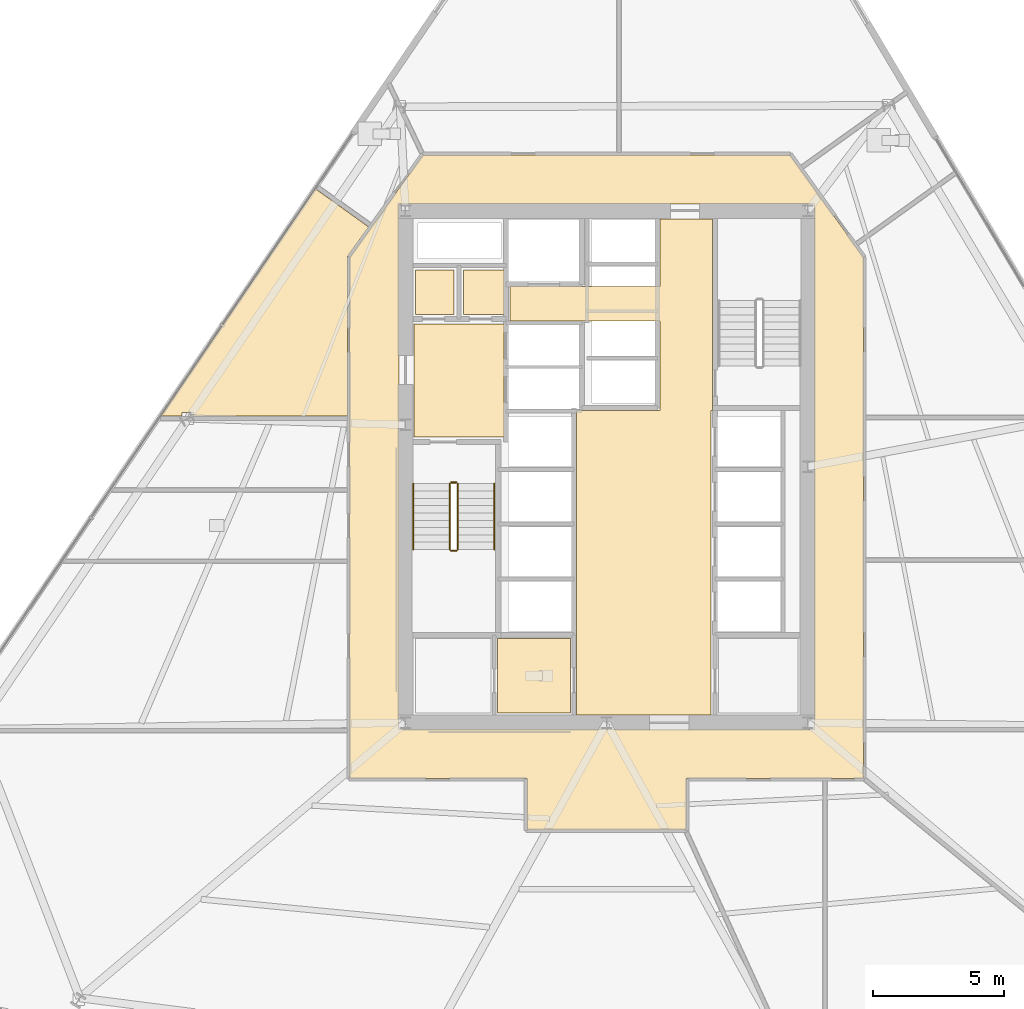
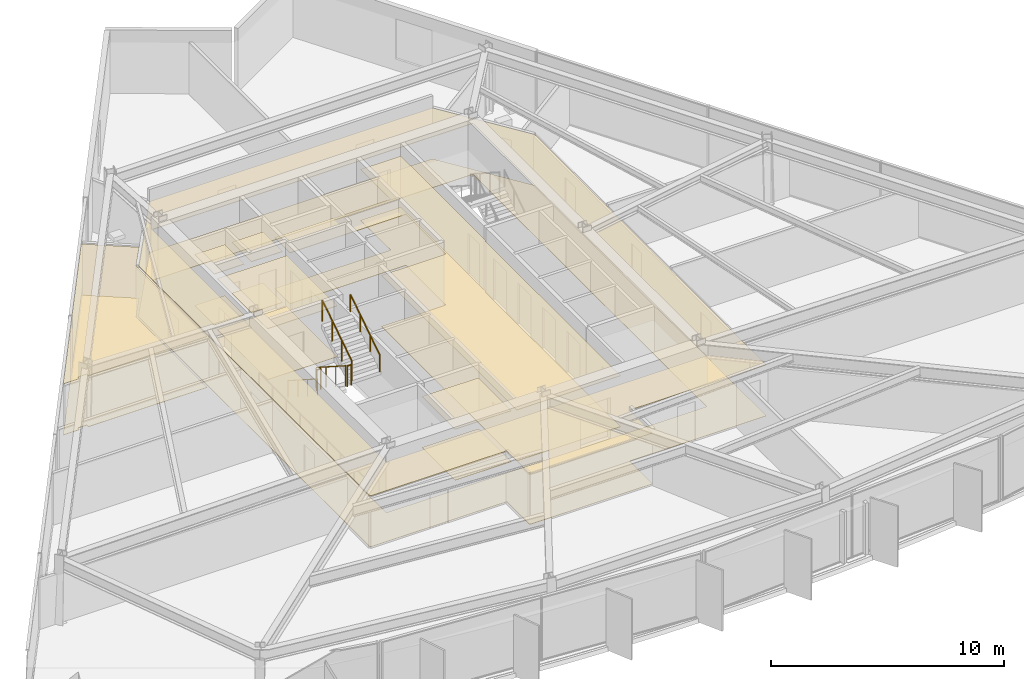
# One storey, part 13 of 16: 14 coverings, 6 railings.
"""IFC4 building model written with IfcOpenShell, lengths in metres."""

from ifc_helpers import new_model, si_unit, direction, frame, origin, origin_2d, place, context, subcontext, project, spatial, polyline, circle, outline, extrude, material, layer, layer_set, type_object, element, save


model = new_model("IFC4")

# Units and contexts
model_context = context("Model", 3, precision=1e-05, world=origin(), true_north=direction((0.0, 1.0)))
body_context = subcontext(model_context, "Body", "Model", "MODEL_VIEW")
ifc_project = project(units=[si_unit("LENGTHUNIT", "METRE"), si_unit("AREAUNIT", "SQUARE_METRE"), si_unit("VOLUMEUNIT", "CUBIC_METRE"), si_unit("PLANEANGLEUNIT", "RADIAN"), si_unit("MASSUNIT", "GRAM", prefix="KILO")], contexts=[model_context])

# Site, building, storey
site_placement = place(None, origin())
site = spatial("IfcSite", under=ifc_project, at=site_placement, CompositionType="ELEMENT")
building_placement = place(site_placement, origin())
building = spatial("IfcBuilding", under=site, at=building_placement, Name="Savorim Split Tower", CompositionType="ELEMENT")
storey_placement = place(building_placement, frame((0.0, 0.0, 33.60009765625)))
storey = spatial("IfcBuildingStorey", under=building, at=storey_placement, Name="L08", CompositionType="ELEMENT", Elevation=33.60009765625)

# Coverings
ifc_material_1 = material(Name="Mineral Fibre Acoustic Ceiling")
ifc_layer_1 = layer(ifc_material_1, 0.02490234375)
ifc_layer_set_1 = layer_set([ifc_layer_1], Name="COV-CEIL-25")
covering_type_1 = type_object("IfcCoveringType", Name="COV-CEIL-25", PredefinedType="CEILING", material=ifc_layer_set_1)
covering_1_placement = place(storey_placement, frame((0.0, 0.0, 2.669921875)))
element("IfcCovering", 1, at=covering_1_placement, inside=storey, type_object=covering_type_1, Name="L08 Firefighting Lift Lobby Acoustic Ceiling", PredefinedType="CEILING", context=body_context, shape_type="SweptSolid", body=[
    extrude(outline(polyline([(-7.3798828125, 5.8701171875), (-7.3798828125, 1.530029296875), (-3.929931640625, 1.530029296875), (-3.929931640625, 5.8701171875), (-7.3798828125, 5.8701171875)])), origin(), (0.0, 0.0, 1.0), 0.02490234375),
])
covering_2_placement = place(storey_placement, frame((0.0, 0.0, 2.669921875)))
element("IfcCovering", 2, at=covering_2_placement, inside=storey, type_object=covering_type_1, Name="L08 Electrical Riser Acoustic Ceiling", PredefinedType="CEILING", context=body_context, shape_type="SweptSolid", body=[
    extrude(outline(polyline([(-7.320068359375, 7.919921875), (-7.320068359375, 6.22998046875), (-5.830078125, 6.22998046875), (-5.830078125, 7.919921875), (-7.320068359375, 7.919921875)])), origin(), (0.0, 0.0, 1.0), 0.02490234375),
])
covering_3_placement = place(storey_placement, frame((0.0, 0.0, 2.669921875)))
element("IfcCovering", 3, at=covering_3_placement, inside=storey, type_object=covering_type_1, Name="L08 Telecom Riser Acoustic Ceiling", PredefinedType="CEILING", context=body_context, shape_type="SweptSolid", body=[
    extrude(outline(polyline([(-5.469970703125, 7.919921875), (-5.469970703125, 6.22998046875), (-3.929931640625, 6.22998046875), (-3.929931640625, 7.919921875), (-5.469970703125, 7.919921875)])), origin(), (0.0, 0.0, 1.0), 0.02490234375),
])
covering_4_placement = place(storey_placement, frame((0.0, 0.0, 2.669921875)))
element("IfcCovering", 4, at=covering_4_placement, inside=storey, type_object=covering_type_1, Name="L08 Lift Lobby Acoustic Ceiling", PredefinedType="CEILING", context=body_context, shape_type="SweptSolid", body=[
    extrude(outline(polyline([(2.050048828125, 2.550048828125), (-1.14990234375, 2.550048828125), (-1.14990234375, -9.10009765625), (4.0, -9.10009765625), (4.0, 2.550048828125), (4.050048828125, 2.550048828125), (4.050048828125, 5.97998046875), (4.050048828125, 7.300048828125), (4.050048828125, 9.8798828125), (2.050048828125, 9.8798828125), (2.050048828125, 7.300048828125), (-3.699951171875, 7.300048828125), (-3.699951171875, 5.97998046875), (2.050048828125, 5.97998046875), (2.050048828125, 2.550048828125)])), origin(), (0.0, 0.0, 1.0), 0.02490234375),
])
covering_5_placement = place(storey_placement, frame((0.0, 0.0, 2.669921875)))
element("IfcCovering", 5, at=covering_5_placement, inside=storey, type_object=covering_type_1, Name="L08 Accessible WC Acoustic Ceiling", PredefinedType="CEILING", context=body_context, shape_type="SweptSolid", body=[
    extrude(outline(polyline([(-4.169921875, -6.179931640625), (-4.169921875, -9.02001953125), (-1.3798828125, -9.02001953125), (-1.3798828125, -6.179931640625), (-4.169921875, -6.179931640625)])), origin(), (0.0, 0.0, 1.0), 0.02490234375),
])
covering_6_placement = place(storey_placement, frame((0.0, 0.0, 2.669921875)))
element("IfcCovering", 6, at=covering_6_placement, inside=storey, type_object=covering_type_1, Name="L08 Corridor Acoustic Ceiling", PredefinedType="CEILING", context=body_context, shape_type="SweptSolid", body=[
    extrude(outline(polyline([(7.009521484375, 12.3291015625), (7.004638671875, 12.329833984375), (7.0, 12.330078125), (-7.0, 12.330078125), (-7.004638671875, 12.329833984375), (-7.009521484375, 12.3291015625), (-7.013916015625, 12.327880859375), (-7.0185546875, 12.326416015625), (-7.022705078125, 12.324462890625), (-7.027099609375, 12.322021484375), (-7.03076171875, 12.3193359375), (-7.034423828125, 12.31640625), (-7.03759765625, 12.312744140625), (-7.04052734375, 12.30908203125), (-9.820556640625, 8.42919921875), (-9.823486328125, 8.4248046875), (-9.82568359375, 8.420166015625), (-9.82763671875, 8.415283203125), (-9.828857421875, 8.410400390625), (-9.82958984375, 8.4052734375), (-9.830078125, 8.39990234375), (-9.830078125, -11.47998046875), (-9.829833984375, -11.48486328125), (-9.8291015625, -11.48974609375), (-9.827880859375, -11.494384765625), (-9.826171875, -11.4990234375), (-9.82421875, -11.503662109375), (-9.821533203125, -11.5078125), (-9.818603515625, -11.51171875), (-9.8154296875, -11.515380859375), (-9.811767578125, -11.518798828125), (-9.807861328125, -11.521484375), (-9.8037109375, -11.524169921875), (-9.799072265625, -11.526123046875), (-9.79443359375, -11.52783203125), (-9.789794921875, -11.529052734375), (-9.784912109375, -11.52978515625), (-9.780029296875, -11.530029296875), (-3.050048828125, -11.530029296875), (-3.050048828125, -13.449951171875), (-3.0498046875, -13.454833984375), (-3.049072265625, -13.459716796875), (-3.0478515625, -13.464599609375), (-3.046142578125, -13.468994140625), (-3.044189453125, -13.4736328125), (-3.04150390625, -13.477783203125), (-3.038818359375, -13.481689453125), (-3.035400390625, -13.4853515625), (-3.03173828125, -13.48876953125), (-3.02783203125, -13.49169921875), (-3.023681640625, -13.494140625), (-3.01904296875, -13.49609375), (-3.014404296875, -13.497802734375), (-3.009765625, -13.4990234375), (-3.0048828125, -13.499755859375), (-3.0, -13.5), (3.0, -13.5), (3.0048828125, -13.499755859375), (3.009765625, -13.4990234375), (3.014404296875, -13.497802734375), (3.01904296875, -13.49609375), (3.023681640625, -13.494140625), (3.02783203125, -13.49169921875), (3.03173828125, -13.48876953125), (3.035400390625, -13.4853515625), (3.038818359375, -13.481689453125), (3.04150390625, -13.477783203125), (3.044189453125, -13.4736328125), (3.046142578125, -13.468994140625), (3.0478515625, -13.464599609375), (3.049072265625, -13.459716796875), (3.0498046875, -13.454833984375), (3.050048828125, -13.449951171875), (3.050048828125, -11.530029296875), (9.780029296875, -11.530029296875), (9.784912109375, -11.52978515625), (9.789794921875, -11.529052734375), (9.79443359375, -11.52783203125), (9.799072265625, -11.526123046875), (9.8037109375, -11.524169921875), (9.807861328125, -11.521484375), (9.811767578125, -11.518798828125), (9.8154296875, -11.515380859375), (9.818603515625, -11.51171875), (9.821533203125, -11.5078125), (9.82421875, -11.503662109375), (9.826171875, -11.4990234375), (9.827880859375, -11.494384765625), (9.8291015625, -11.48974609375), (9.829833984375, -11.48486328125), (9.830078125, -11.47998046875), (9.830078125, 8.39990234375), (9.82958984375, 8.4052734375), (9.828857421875, 8.410400390625), (9.82763671875, 8.415283203125), (9.82568359375, 8.420166015625), (9.823486328125, 8.4248046875), (9.820556640625, 8.42919921875), (7.04052734375, 12.30908203125), (7.03759765625, 12.312744140625), (7.034423828125, 12.31640625), (7.03076171875, 12.3193359375), (7.027099609375, 12.322021484375), (7.022705078125, 12.324462890625), (7.0185546875, 12.326416015625), (7.013916015625, 12.327880859375), (7.009521484375, 12.3291015625)]), holes=[polyline([(-7.949951171875, 10.449951171875), (-7.949951171875, -9.64990234375), (7.949951171875, -9.64990234375), (7.949951171875, 10.449951171875), (-7.949951171875, 10.449951171875)])]), origin(), (0.0, 0.0, 1.0), 0.02490234375),
])
covering_7_placement = place(storey_placement, frame((0.0, 0.0, 2.669921875)))
element("IfcCovering", 7, at=covering_7_placement, inside=storey, type_object=covering_type_1, Name="L08 Co-Living Bedroom Acoustic Ceiling", PredefinedType="CEILING", context=body_context, shape_type="SweptSolid", body=[
    extrude(outline(polyline([(-9.908203125, 8.456298828125), (-9.901611328125, 8.46923828125), (-9.893798828125, 8.4814453125), (-9.109130859375, 9.57666015625), (-11.1484375, 11.0380859375), (-17.069580078125, 2.334228515625), (-16.25390625, 2.334228515625), (-16.25390625, 2.472412109375), (-15.81787109375, 2.472412109375), (-15.81787109375, 2.334228515625), (-9.919921875, 2.334228515625), (-9.919921875, 8.39990234375), (-9.919189453125, 8.41455078125), (-9.9169921875, 8.4287109375), (-9.913330078125, 8.44287109375), (-9.908203125, 8.456298828125)])), origin(), (0.0, 0.0, 1.0), 0.02490234375),
])
ifc_material_2 = material(Name="Porcelain Stoneware Flooring", Category="masonry")
ifc_layer_2 = layer(ifc_material_2, 0.02001953125)
ifc_layer_set_2 = layer_set([ifc_layer_2], Name="COV-FLOR-20")
covering_type_2 = type_object("IfcCoveringType", Name="COV-FLOR-20", PredefinedType="FLOORING", material=ifc_layer_set_2)
covering_8_placement = place(storey_placement, origin())
element("IfcCovering", 8, at=covering_8_placement, inside=storey, type_object=covering_type_2, Name="L08 Firefighting Lift Lobby Porcelain Flooring", PredefinedType="FLOORING", context=body_context, shape_type="SweptSolid", body=[
    extrude(outline(polyline([(-7.3798828125, 5.8701171875), (-7.3798828125, 1.530029296875), (-3.929931640625, 1.530029296875), (-3.929931640625, 5.8701171875), (-7.3798828125, 5.8701171875)])), origin(), (0.0, 0.0, 1.0), 0.02001953125),
])
covering_9_placement = place(storey_placement, origin())
element("IfcCovering", 9, at=covering_9_placement, inside=storey, type_object=covering_type_2, Name="L08 Electrical Riser Porcelain Flooring", PredefinedType="FLOORING", context=body_context, shape_type="SweptSolid", body=[
    extrude(outline(polyline([(-7.320068359375, 7.919921875), (-7.320068359375, 6.22998046875), (-5.830078125, 6.22998046875), (-5.830078125, 7.919921875), (-7.320068359375, 7.919921875)])), origin(), (0.0, 0.0, 1.0), 0.02001953125),
])
covering_10_placement = place(storey_placement, origin())
element("IfcCovering", 10, at=covering_10_placement, inside=storey, type_object=covering_type_2, Name="L08 Telecom Riser Porcelain Flooring", PredefinedType="FLOORING", context=body_context, shape_type="SweptSolid", body=[
    extrude(outline(polyline([(-5.469970703125, 7.919921875), (-5.469970703125, 6.22998046875), (-3.929931640625, 6.22998046875), (-3.929931640625, 7.919921875), (-5.469970703125, 7.919921875)])), origin(), (0.0, 0.0, 1.0), 0.02001953125),
])
covering_11_placement = place(storey_placement, origin())
element("IfcCovering", 11, at=covering_11_placement, inside=storey, type_object=covering_type_2, Name="L08 Lift Lobby Porcelain Flooring", PredefinedType="FLOORING", context=body_context, shape_type="SweptSolid", body=[
    extrude(outline(polyline([(2.050048828125, 2.550048828125), (-1.14990234375, 2.550048828125), (-1.14990234375, -9.10009765625), (4.0, -9.10009765625), (4.0, 2.550048828125), (4.050048828125, 2.550048828125), (4.050048828125, 5.97998046875), (4.050048828125, 7.300048828125), (4.050048828125, 9.8798828125), (2.050048828125, 9.8798828125), (2.050048828125, 7.300048828125), (-3.699951171875, 7.300048828125), (-3.699951171875, 5.97998046875), (2.050048828125, 5.97998046875), (2.050048828125, 2.550048828125)])), origin(), (0.0, 0.0, 1.0), 0.02001953125),
])
covering_12_placement = place(storey_placement, origin())
element("IfcCovering", 12, at=covering_12_placement, inside=storey, type_object=covering_type_2, Name="L08 Accessible WC Porcelain Flooring", PredefinedType="FLOORING", context=body_context, shape_type="SweptSolid", body=[
    extrude(outline(polyline([(-4.169921875, -6.179931640625), (-4.169921875, -9.02001953125), (-1.3798828125, -9.02001953125), (-1.3798828125, -6.179931640625), (-4.169921875, -6.179931640625)])), origin(), (0.0, 0.0, 1.0), 0.02001953125),
])
covering_13_placement = place(storey_placement, origin())
element("IfcCovering", 13, at=covering_13_placement, inside=storey, type_object=covering_type_2, Name="L08 Corridor Porcelain Flooring", PredefinedType="FLOORING", context=body_context, shape_type="SweptSolid", body=[
    extrude(outline(polyline([(7.009521484375, 12.3291015625), (7.004638671875, 12.329833984375), (7.0, 12.330078125), (-7.0, 12.330078125), (-7.004638671875, 12.329833984375), (-7.009521484375, 12.3291015625), (-7.013916015625, 12.327880859375), (-7.0185546875, 12.326416015625), (-7.022705078125, 12.324462890625), (-7.027099609375, 12.322021484375), (-7.03076171875, 12.3193359375), (-7.034423828125, 12.31640625), (-7.03759765625, 12.312744140625), (-7.04052734375, 12.30908203125), (-9.820556640625, 8.42919921875), (-9.823486328125, 8.4248046875), (-9.82568359375, 8.420166015625), (-9.82763671875, 8.415283203125), (-9.828857421875, 8.410400390625), (-9.82958984375, 8.4052734375), (-9.830078125, 8.39990234375), (-9.830078125, -11.47998046875), (-9.829833984375, -11.48486328125), (-9.8291015625, -11.48974609375), (-9.827880859375, -11.494384765625), (-9.826171875, -11.4990234375), (-9.82421875, -11.503662109375), (-9.821533203125, -11.5078125), (-9.818603515625, -11.51171875), (-9.8154296875, -11.515380859375), (-9.811767578125, -11.518798828125), (-9.807861328125, -11.521484375), (-9.8037109375, -11.524169921875), (-9.799072265625, -11.526123046875), (-9.79443359375, -11.52783203125), (-9.789794921875, -11.529052734375), (-9.784912109375, -11.52978515625), (-9.780029296875, -11.530029296875), (-3.050048828125, -11.530029296875), (-3.050048828125, -13.449951171875), (-3.0498046875, -13.454833984375), (-3.049072265625, -13.459716796875), (-3.0478515625, -13.464599609375), (-3.046142578125, -13.468994140625), (-3.044189453125, -13.4736328125), (-3.04150390625, -13.477783203125), (-3.038818359375, -13.481689453125), (-3.035400390625, -13.4853515625), (-3.03173828125, -13.48876953125), (-3.02783203125, -13.49169921875), (-3.023681640625, -13.494140625), (-3.01904296875, -13.49609375), (-3.014404296875, -13.497802734375), (-3.009765625, -13.4990234375), (-3.0048828125, -13.499755859375), (-3.0, -13.5), (3.0, -13.5), (3.0048828125, -13.499755859375), (3.009765625, -13.4990234375), (3.014404296875, -13.497802734375), (3.01904296875, -13.49609375), (3.023681640625, -13.494140625), (3.02783203125, -13.49169921875), (3.03173828125, -13.48876953125), (3.035400390625, -13.4853515625), (3.038818359375, -13.481689453125), (3.04150390625, -13.477783203125), (3.044189453125, -13.4736328125), (3.046142578125, -13.468994140625), (3.0478515625, -13.464599609375), (3.049072265625, -13.459716796875), (3.0498046875, -13.454833984375), (3.050048828125, -13.449951171875), (3.050048828125, -11.530029296875), (9.780029296875, -11.530029296875), (9.784912109375, -11.52978515625), (9.789794921875, -11.529052734375), (9.79443359375, -11.52783203125), (9.799072265625, -11.526123046875), (9.8037109375, -11.524169921875), (9.807861328125, -11.521484375), (9.811767578125, -11.518798828125), (9.8154296875, -11.515380859375), (9.818603515625, -11.51171875), (9.821533203125, -11.5078125), (9.82421875, -11.503662109375), (9.826171875, -11.4990234375), (9.827880859375, -11.494384765625), (9.8291015625, -11.48974609375), (9.829833984375, -11.48486328125), (9.830078125, -11.47998046875), (9.830078125, 8.39990234375), (9.82958984375, 8.4052734375), (9.828857421875, 8.410400390625), (9.82763671875, 8.415283203125), (9.82568359375, 8.420166015625), (9.823486328125, 8.4248046875), (9.820556640625, 8.42919921875), (7.04052734375, 12.30908203125), (7.03759765625, 12.312744140625), (7.034423828125, 12.31640625), (7.03076171875, 12.3193359375), (7.027099609375, 12.322021484375), (7.022705078125, 12.324462890625), (7.0185546875, 12.326416015625), (7.013916015625, 12.327880859375), (7.009521484375, 12.3291015625)]), holes=[polyline([(-7.949951171875, 10.449951171875), (-7.949951171875, -9.64990234375), (7.949951171875, -9.64990234375), (7.949951171875, 10.449951171875), (-7.949951171875, 10.449951171875)])]), origin(), (0.0, 0.0, 1.0), 0.02001953125),
])
covering_14_placement = place(storey_placement, origin())
element("IfcCovering", 14, at=covering_14_placement, inside=storey, type_object=covering_type_2, Name="L08 Co-Living Bedroom Porcelain Flooring", PredefinedType="FLOORING", context=body_context, shape_type="SweptSolid", body=[
    extrude(outline(polyline([(-9.908203125, 8.456298828125), (-9.901611328125, 8.46923828125), (-9.893798828125, 8.4814453125), (-9.109130859375, 9.57666015625), (-11.1484375, 11.0380859375), (-17.069580078125, 2.334228515625), (-16.25390625, 2.334228515625), (-16.25390625, 2.472412109375), (-15.81787109375, 2.472412109375), (-15.81787109375, 2.334228515625), (-9.919921875, 2.334228515625), (-9.919921875, 8.39990234375), (-9.919189453125, 8.41455078125), (-9.9169921875, 8.4287109375), (-9.913330078125, 8.44287109375), (-9.908203125, 8.456298828125)])), origin(), (0.0, 0.0, 1.0), 0.02001953125),
])

# Railings
ifc_material_3 = material(Name="Galvanised Painted Steel Balustrade", Category="steel")
railing_type_1 = type_object("IfcRailingType", Name="RLG-HR-900", PredefinedType="HANDRAIL", material=ifc_material_3)
railing_1_placement = place(storey_placement, frame((-7.39990234375, -0.25, 0.179931640625)))
element("IfcRailing", 15, at=railing_1_placement, inside=storey, type_object=railing_type_1, Name="L08 ST-1 stair handrail 1", PredefinedType="HANDRAIL", context=body_context, shape_type="SweptSolid", body=[
    extrude(circle(Radius=0.02392578125, at=origin_2d()), frame((0.0, 0.0, 0.8759765625), z_axis=(0.0, -0.841199657755, 0.540724639528), x_axis=(1.0, 0.0, 0.0)), (0.0, 0.0, 1.0), 2.995849609375),
    extrude(circle(Radius=0.02099609375, at=origin_2d()), origin(), (0.0, 0.0, 1.0), 0.851806640625),
    extrude(circle(Radius=0.02099609375, at=origin_2d()), frame((0.0, -0.840087890625, 0.5400390625)), (0.0, 0.0, 1.0), 0.851806640625),
    extrude(circle(Radius=0.02099609375, at=origin_2d()), frame((0.0, -1.679931640625, 1.079833984375)), (0.0, 0.0, 1.0), 0.851806640625),
    extrude(circle(Radius=0.02099609375, at=origin_2d()), frame((0.0, -2.52001953125, 1.619873046875)), (0.0, 0.0, 1.0), 0.851806640625),
])
railing_2_placement = place(storey_placement, frame((-4.300048828125, -2.77001953125, 1.97998046875)))
element("IfcRailing", 16, at=railing_2_placement, inside=storey, type_object=railing_type_1, Name="L08 ST-1 stair handrail 2", PredefinedType="HANDRAIL", context=body_context, shape_type="SweptSolid", body=[
    extrude(circle(Radius=0.02392578125, at=origin_2d()), frame((0.0, 0.0, 0.8759765625), z_axis=(0.0, 0.841199657755, 0.540724639528), x_axis=(-1.0, 0.0, 0.0)), (0.0, 0.0, 1.0), 2.995849609375),
    extrude(circle(Radius=0.02099609375, at=origin_2d()), origin(), (0.0, 0.0, 1.0), 0.851806640625),
    extrude(circle(Radius=0.02099609375, at=origin_2d()), frame((0.0, 0.840087890625, 0.5400390625)), (0.0, 0.0, 1.0), 0.851806640625),
    extrude(circle(Radius=0.02099609375, at=origin_2d()), frame((0.0, 1.679931640625, 1.079833984375)), (0.0, 0.0, 1.0), 0.851806640625),
    extrude(circle(Radius=0.02099609375, at=origin_2d()), frame((0.0, 2.52001953125, 1.619873046875)), (0.0, 0.0, 1.0), 0.851806640625),
])
railing_type_2 = type_object("IfcRailingType", Name="RLG-STG-1100", PredefinedType="BALUSTRADE", material=ifc_material_3)
railing_3_placement = place(storey_placement, frame((-6.0, -0.25, 0.179931640625)))
element("IfcRailing", 17, at=railing_3_placement, inside=storey, type_object=railing_type_2, Name="L08 ST-1 stair guard 1", PredefinedType="BALUSTRADE", context=body_context, shape_type="SweptSolid", body=[
    extrude(circle(Radius=0.02392578125, at=origin_2d()), frame((0.0, 0.0, 1.076171875), z_axis=(0.0, -0.841199657755, 0.540724639528), x_axis=(1.0, 0.0, 0.0)), (0.0, 0.0, 1.0), 2.995849609375),
    extrude(circle(Radius=0.02099609375, at=origin_2d()), origin(), (0.0, 0.0, 1.0), 1.052001953125),
    extrude(circle(Radius=0.02099609375, at=origin_2d()), frame((0.0, -0.840087890625, 0.5400390625)), (0.0, 0.0, 1.0), 1.052001953125),
    extrude(circle(Radius=0.02099609375, at=origin_2d()), frame((0.0, -1.679931640625, 1.079833984375)), (0.0, 0.0, 1.0), 1.052001953125),
    extrude(circle(Radius=0.02099609375, at=origin_2d()), frame((0.0, -2.52001953125, 1.619873046875)), (0.0, 0.0, 1.0), 1.052001953125),
])
railing_4_placement = place(storey_placement, frame((-5.949951171875, -2.820068359375, 1.7998046875)))
element("IfcRailing", 18, at=railing_4_placement, inside=storey, type_object=railing_type_2, Name="L08 ST-1 stair guard 2", PredefinedType="BALUSTRADE", context=body_context, shape_type="SweptSolid", body=[
    extrude(circle(Radius=0.02392578125, at=origin_2d()), frame((0.0, 0.0, 1.076171875), z_axis=(1.0, 0.0, 0.0), x_axis=(0.0, 1.0, 0.0)), (0.0, 0.0, 1.0), 0.199951171875),
    extrude(circle(Radius=0.02099609375, at=origin_2d()), origin(), (0.0, 0.0, 1.0), 1.052001953125),
    extrude(circle(Radius=0.02099609375, at=origin_2d()), frame((0.199951171875, 0.0, 0.0)), (0.0, 0.0, 1.0), 1.052001953125),
])
railing_5_placement = place(storey_placement, frame((-5.699951171875, -2.77001953125, 1.97998046875)))
element("IfcRailing", 19, at=railing_5_placement, inside=storey, type_object=railing_type_2, Name="L08 ST-1 stair guard 3", PredefinedType="BALUSTRADE", context=body_context, shape_type="SweptSolid", body=[
    extrude(circle(Radius=0.02392578125, at=origin_2d()), frame((0.0, 0.0, 1.076171875), z_axis=(0.0, 0.841199657755, 0.540724639528), x_axis=(-1.0, 0.0, 0.0)), (0.0, 0.0, 1.0), 2.995849609375),
    extrude(circle(Radius=0.02099609375, at=origin_2d()), origin(), (0.0, 0.0, 1.0), 1.052001953125),
    extrude(circle(Radius=0.02099609375, at=origin_2d()), frame((0.0, 0.840087890625, 0.5400390625)), (0.0, 0.0, 1.0), 1.052001953125),
    extrude(circle(Radius=0.02099609375, at=origin_2d()), frame((0.0, 1.679931640625, 1.079833984375)), (0.0, 0.0, 1.0), 1.052001953125),
    extrude(circle(Radius=0.02099609375, at=origin_2d()), frame((0.0, 2.52001953125, 1.619873046875)), (0.0, 0.0, 1.0), 1.052001953125),
])
railing_6_placement = place(storey_placement, frame((-5.949951171875, -0.199951171875, 0.0)))
element("IfcRailing", 20, at=railing_6_placement, inside=storey, type_object=railing_type_2, Name="L08 ST-1 stair guard 4", PredefinedType="BALUSTRADE", context=body_context, shape_type="SweptSolid", body=[
    extrude(circle(Radius=0.02392578125, at=origin_2d()), frame((0.0, 0.0, 1.076171875), z_axis=(1.0, 0.0, 0.0), x_axis=(0.0, 1.0, 0.0)), (0.0, 0.0, 1.0), 0.199951171875),
    extrude(circle(Radius=0.02099609375, at=origin_2d()), origin(), (0.0, 0.0, 1.0), 1.052001953125),
    extrude(circle(Radius=0.02099609375, at=origin_2d()), frame((0.199951171875, 0.0, 0.0)), (0.0, 0.0, 1.0), 1.052001953125),
])

save(model, "model.ifc")
